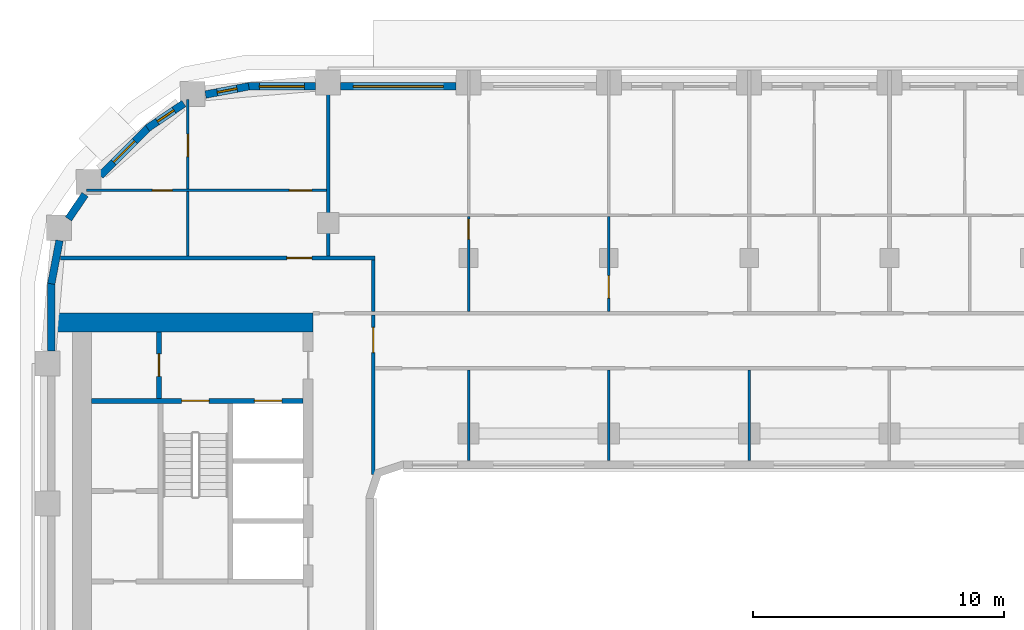
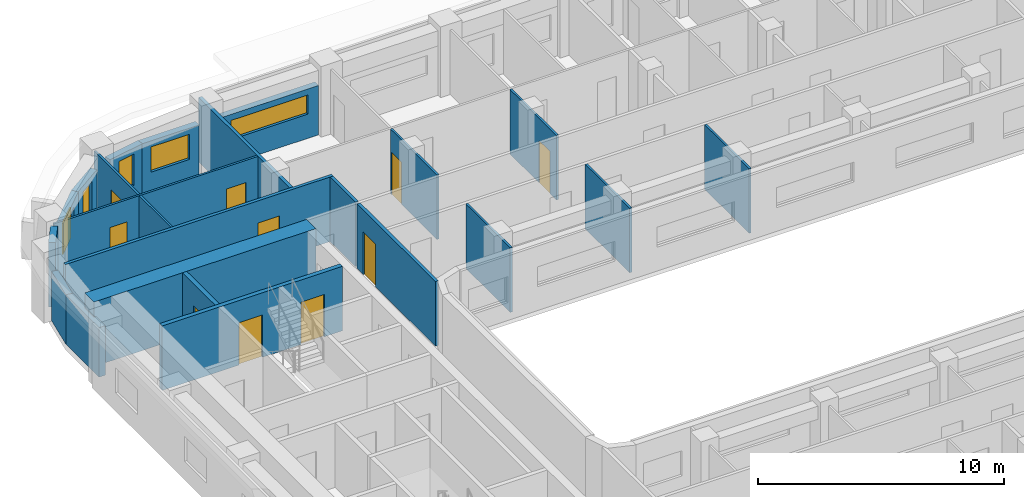
# One storey, part 7 of 22: 23 walls, 10 doors, 5 windows, 15 openings.
"""IFC4 building model written with IfcOpenShell, lengths in metres."""

from ifc_helpers import new_model, si_unit, direction, frame, frame_2d, origin, place, context, subcontext, project, spatial, rectangle, extrude, material, layer, layer_set, type_object, element, fill, save


model = new_model("IFC4")

# Units and contexts
model_context = context("Model", 3, precision=1e-05, world=origin(), true_north=direction((0.0, 1.0)))
body_context = subcontext(model_context, "Body", "Model", "MODEL_VIEW")
ifc_project = project(units=[si_unit("LENGTHUNIT", "METRE"), si_unit("AREAUNIT", "SQUARE_METRE"), si_unit("VOLUMEUNIT", "CUBIC_METRE"), si_unit("PLANEANGLEUNIT", "RADIAN"), si_unit("MASSUNIT", "GRAM", prefix="KILO")], contexts=[model_context])

# Site, building, storey
site_placement = place(None, origin())
site = spatial("IfcSite", under=ifc_project, at=site_placement, CompositionType="ELEMENT")
building_placement = place(site_placement, origin())
building = spatial("IfcBuilding", under=site, at=building_placement, Name="Kiln Ring Residences", CompositionType="ELEMENT")
storey_placement = place(building_placement, frame((0.0, 0.0, 164.10009765625)))
storey = spatial("IfcBuildingStorey", under=building, at=storey_placement, Name="L42", CompositionType="ELEMENT", Elevation=164.10009765625)

# Wall, opening, door
ifc_material_1 = material(Name="Gypsum board on steel studs", Category="steel")
ifc_layer_1 = layer(ifc_material_1, 0.199951171875)
ifc_layer_set_1 = layer_set([ifc_layer_1], Name="CORE-PARTITION-200")
wall_type_1 = type_object("IfcWallType", Name="CORE-PARTITION-200", PredefinedType="PARTITIONING", material=ifc_layer_set_1)
wall_1_placement = place(storey_placement, frame((-23.550048828125, 9.800048828125, 0.0), z_axis=(0.0, 0.0, 1.0), x_axis=(0.0, 1.0, 0.0)))
wall_1 = element("IfcWall", 1, at=wall_1_placement, inside=storey, type_object=wall_type_1, Name="Core partition west L42 4", PredefinedType="PARTITIONING", context=body_context, shape_type="SweptSolid", body=[
    extrude(rectangle(XDim=2.64990234375, YDim=0.199951171875, at=frame_2d((1.324951171875, 0.0))), origin(), (0.0, 0.0, 1.0), 3.199951171875),
])
opening_1_placement = place(wall_1_placement, frame((0.875, 0.0, 0.0)))
opening_1 = element("IfcOpeningElement", 2, at=opening_1_placement, cuts=wall_1, Name="Opening L42-CW09", PredefinedType="OPENING", context=body_context, shape_type="SweptSolid", body=[
    extrude(rectangle(XDim=0.89990234375, YDim=2.10009765625, at=frame_2d((0.449951171875, 1.050048828125))), frame((0.0, 0.10986328125, 0.0), z_axis=(0.0, -1.0, 0.0), x_axis=(1.0, 0.0, 0.0)), (0.0, 0.0, 1.0), 0.219970703125),
])
ifc_material_2 = material(Name="Steel door leaf", Category="steel")
door_type_1 = type_object("IfcDoorType", Name="CORE-DOOR-ROOM", OperationType="SINGLE_SWING_LEFT", PredefinedType="DOOR", material=ifc_material_2)
door_1_placement = place(opening_1_placement, origin())
door_1 = element("IfcDoor", 3, at=door_1_placement, inside=storey, type_object=door_type_1, Name="Fire riser room L42-CW09", OperationType="SINGLE_SWING_LEFT", OverallHeight=2.10009765625, OverallWidth=0.89990234375, PredefinedType="DOOR", context=body_context, shape_type="SweptSolid", body=[
    extrude(rectangle(XDim=0.89990234375, YDim=2.10009765625, at=frame_2d((0.449951171875, 1.050048828125))), frame((0.0, 0.02490234375, 0.0), z_axis=(0.0, -1.0, 0.0), x_axis=(1.0, 0.0, 0.0)), (0.0, 0.0, 1.0), 0.050048828125),
])
fill(opening_1, door_1)

# Wall, openings, doors
ifc_material_3 = material(Name="Concrete C40/50", Category="concrete")
ifc_layer_2 = layer(ifc_material_3, 0.199951171875)
ifc_layer_set_2 = layer_set([ifc_layer_2], Name="CORE-WALL-RC200")
wall_type_2 = type_object("IfcWallType", Name="CORE-WALL-RC200", PredefinedType="SHEAR", material=ifc_layer_set_2)
wall_2_placement = place(storey_placement, frame((-17.800048828125, 9.699951171875, 0.0), z_axis=(0.0, 0.0, 1.0), x_axis=(-1.0, 0.0, 0.0)))
wall_2 = element("IfcWall", 4, at=wall_2_placement, inside=storey, type_object=wall_type_2, Name="Core wall west L42 9", PredefinedType="SHEAR", context=body_context, shape_type="SweptSolid", body=[
    extrude(rectangle(XDim=8.449951171875, YDim=0.199951171875, at=frame_2d((4.22509765625, 0.0))), origin(), (0.0, 0.0, 1.0), 3.199951171875),
])
opening_2_placement = place(wall_2_placement, frame((0.85009765625, 0.0, 0.0)))
opening_2 = element("IfcOpeningElement", 5, at=opening_2_placement, cuts=wall_2, Name="Opening L42-CW06", PredefinedType="OPENING", context=body_context, shape_type="SweptSolid", body=[
    extrude(rectangle(XDim=1.10009765625, YDim=2.10009765625, at=frame_2d((0.550048828125, 1.050048828125))), frame((0.0, 0.10986328125, 0.0), z_axis=(0.0, -1.0, 0.0), x_axis=(1.0, 0.0, 0.0)), (0.0, 0.0, 1.0), 0.219970703125),
])
opening_3_placement = place(wall_2_placement, frame((3.75, 0.0, 0.0)))
opening_3 = element("IfcOpeningElement", 6, at=opening_3_placement, cuts=wall_2, Name="Opening L42-CW11", PredefinedType="OPENING", context=body_context, shape_type="SweptSolid", body=[
    extrude(rectangle(XDim=1.10009765625, YDim=2.10009765625, at=frame_2d((0.550048828125, 1.050048828125))), frame((0.0, 0.10986328125, 0.0), z_axis=(0.0, -1.0, 0.0), x_axis=(1.0, 0.0, 0.0)), (0.0, 0.0, 1.0), 0.219970703125),
])
ifc_material_4 = material(Name="Steel door leaf", Category="steel")
door_type_2 = type_object("IfcDoorType", Name="CORE-DOOR-LD", OperationType="DOUBLE_DOOR_SLIDING", PredefinedType="DOOR", material=ifc_material_4)
door_2_placement = place(opening_2_placement, origin())
door_2 = element("IfcDoor", 7, at=door_2_placement, inside=storey, type_object=door_type_2, Name="LD W-FF L42-CW06", OperationType="DOUBLE_DOOR_SLIDING", OverallHeight=2.10009765625, OverallWidth=1.10009765625, PredefinedType="DOOR", context=body_context, shape_type="SweptSolid", body=[
    extrude(rectangle(XDim=1.10009765625, YDim=2.10009765625, at=frame_2d((0.550048828125, 1.050048828125))), frame((0.0, 0.02490234375, 0.0), z_axis=(0.0, -1.0, 0.0), x_axis=(1.0, 0.0, 0.0)), (0.0, 0.0, 1.0), 0.050048828125),
])
fill(opening_2, door_2)
ifc_material_5 = material(Name="Steel door leaf", Category="steel")
door_type_3 = type_object("IfcDoorType", Name="CORE-DOOR-STAIR", OperationType="SINGLE_SWING_LEFT", PredefinedType="DOOR", material=ifc_material_5)
door_3_placement = place(opening_3_placement, origin())
door_3 = element("IfcDoor", 8, at=door_3_placement, inside=storey, type_object=door_type_3, Name="Stair W-STN L42-CW11", OperationType="SINGLE_SWING_LEFT", OverallHeight=2.10009765625, OverallWidth=1.10009765625, PredefinedType="DOOR", context=body_context, shape_type="SweptSolid", body=[
    extrude(rectangle(XDim=1.10009765625, YDim=2.10009765625, at=frame_2d((0.550048828125, 1.050048828125))), frame((0.0, 0.02490234375, 0.0), z_axis=(0.0, -1.0, 0.0), x_axis=(1.0, 0.0, 0.0)), (0.0, 0.0, 1.0), 0.050048828125),
])
fill(opening_3, door_3)

# Wall
ifc_material_6 = material(Name="Concrete C60/75", Category="concrete")
ifc_layer_3 = layer(ifc_material_6, 0.75)
ifc_layer_set_3 = layer_set([ifc_layer_3], Name="CORE-WALL-RC750")
wall_type_3 = type_object("IfcWallType", Name="CORE-WALL-RC750", PredefinedType="SHEAR", material=ifc_layer_set_3)
wall_3_placement = place(storey_placement, frame((-17.39990234375, 12.824951171875, 0.0), z_axis=(0.0, 0.0, 1.0), x_axis=(-1.0, 0.0, 0.0)))
element("IfcWall", 9, at=wall_3_placement, inside=storey, type_object=wall_type_3, Name="Core wall west L42 4", PredefinedType="SHEAR", context=body_context, shape_type="SweptSolid", body=[
    extrude(rectangle(XDim=10.400146484375, YDim=0.75, at=frame_2d((5.2001953125, 0.0))), origin(), (0.0, 0.0, 1.0), 3.199951171875),
])

# Wall, opening, window
ifc_material_7 = material(Name="Brick masonry, dark clay brick", Category="masonry")
ifc_layer_4 = layer(ifc_material_7, 0.300048828125)
ifc_layer_set_4 = layer_set([ifc_layer_4], Name="EW-300 BRICK WALL")
wall_type_4 = type_object("IfcWallType", Name="EW-300 BRICK WALL", PredefinedType="SOLIDWALL", material=ifc_layer_set_4)
wall_4_placement = place(storey_placement, frame((-11.699951171875, 22.25, 0.0), z_axis=(0.0, 0.0, 1.0), x_axis=(-1.0, 0.0, 0.0)))
wall_4 = element("IfcWall", 10, at=wall_4_placement, inside=storey, type_object=wall_type_4, Name="Facade wall L42 34", PredefinedType="SOLIDWALL", context=body_context, shape_type="SweptSolid", body=[
    extrude(rectangle(XDim=4.60009765625, YDim=0.300048828125, at=frame_2d((2.300048828125, 0.0))), origin(), (0.0, 0.0, 1.0), 2.449951171875),
])
opening_4_placement = place(wall_4_placement, frame((0.5, 0.0, 1.199951171875)))
opening_4 = element("IfcOpeningElement", 11, at=opening_4_placement, cuts=wall_4, Name="Opening W4", PredefinedType="OPENING", context=body_context, shape_type="SweptSolid", body=[
    extrude(rectangle(XDim=3.60009765625, YDim=0.949951171875, at=frame_2d((1.800048828125, 0.47509765625))), frame((0.0, 0.159912109375, 0.0), z_axis=(0.0, -1.0, 0.0), x_axis=(1.0, 0.0, 0.0)), (0.0, 0.0, 1.0), 0.320068359375),
])
ifc_material_8 = material(Name="Aluminium frame with double glazing", Category="aluminium")
window_type_1 = type_object("IfcWindowType", Name="WINDOW 3600 x 950", PartitioningType="SINGLE_PANEL", PredefinedType="WINDOW", material=ifc_material_8)
window_1_placement = place(opening_4_placement, origin())
window_1 = element("IfcWindow", 12, at=window_1_placement, inside=storey, type_object=window_type_1, Name="Window L42 27", OverallHeight=0.949951171875, OverallWidth=3.60009765625, PartitioningType="SINGLE_PANEL", PredefinedType="WINDOW", context=body_context, shape_type="SweptSolid", body=[
    extrude(rectangle(XDim=3.60009765625, YDim=0.949951171875, at=frame_2d((1.800048828125, 0.47509765625))), frame((0.0, 0.030029296875, 0.0), z_axis=(0.0, -1.0, 0.0), x_axis=(1.0, 0.0, 0.0)), (0.0, 0.0, 1.0), 0.06005859375),
])
fill(opening_4, window_1)

wall_5_placement = place(storey_placement, frame((-17.300048828125, 22.25, 0.0), z_axis=(0.0, 0.0, 1.0), x_axis=(-1.0, 0.0, 0.0)))
wall_5 = element("IfcWall", 13, at=wall_5_placement, inside=storey, type_object=wall_type_4, Name="Facade wall L42 35", PredefinedType="SOLIDWALL", context=body_context, shape_type="SweptSolid", body=[
    extrude(rectangle(XDim=2.699951171875, YDim=0.300048828125, at=frame_2d((1.35009765625, 0.0))), origin(), (0.0, 0.0, 1.0), 2.449951171875),
])
opening_5_placement = place(wall_5_placement, frame((0.449951171875, 0.0, 0.89990234375)))
opening_5 = element("IfcOpeningElement", 14, at=opening_5_placement, cuts=wall_5, Name="Opening W2", PredefinedType="OPENING", context=body_context, shape_type="SweptSolid", body=[
    extrude(rectangle(XDim=1.800048828125, YDim=1.25, at=frame_2d((0.89990234375, 0.625))), frame((0.0, 0.159912109375, 0.0), z_axis=(0.0, -1.0, 0.0), x_axis=(1.0, 0.0, 0.0)), (0.0, 0.0, 1.0), 0.320068359375),
])
ifc_material_9 = material(Name="Aluminium frame with double glazing", Category="aluminium")
window_type_2 = type_object("IfcWindowType", Name="WINDOW 1800 x 1250", PartitioningType="SINGLE_PANEL", PredefinedType="WINDOW", material=ifc_material_9)
window_2_placement = place(opening_5_placement, origin())
window_2 = element("IfcWindow", 15, at=window_2_placement, inside=storey, type_object=window_type_2, Name="Window L42 28", OverallHeight=1.25, OverallWidth=1.800048828125, PartitioningType="SINGLE_PANEL", PredefinedType="WINDOW", context=body_context, shape_type="SweptSolid", body=[
    extrude(rectangle(XDim=1.800048828125, YDim=1.25, at=frame_2d((0.89990234375, 0.625))), frame((0.0, 0.030029296875, 0.0), z_axis=(0.0, -1.0, 0.0), x_axis=(1.0, 0.0, 0.0)), (0.0, 0.0, 1.0), 0.06005859375),
])
fill(opening_5, window_2)

wall_6_placement = place(storey_placement, frame((-19.971923828125, 22.252685546875, 0.0), z_axis=(0.0, 0.0, 1.0), x_axis=(-0.982284988433, -0.187393173565, 0.0)))
wall_6 = element("IfcWall", 16, at=wall_6_placement, inside=storey, type_object=wall_type_4, Name="Facade wall L42 36", PredefinedType="SOLIDWALL", context=body_context, shape_type="SweptSolid", body=[
    extrude(rectangle(XDim=1.756103515625, YDim=0.300048828125, at=frame_2d((0.8779296875, 0.0))), origin(), (0.0, 0.0, 1.0), 2.449951171875),
])
opening_6_placement = place(wall_6_placement, frame((0.47802734375, 0.0, 0.60009765625)))
opening_6 = element("IfcOpeningElement", 17, at=opening_6_placement, cuts=wall_6, Name="Opening W5", PredefinedType="OPENING", context=body_context, shape_type="SweptSolid", body=[
    extrude(rectangle(XDim=0.800048828125, YDim=1.550048828125, at=frame_2d((0.39990234375, 0.77490234375))), frame((0.0, 0.159912109375, 0.0), z_axis=(0.0, -1.0, 0.0), x_axis=(1.0, 0.0, 0.0)), (0.0, 0.0, 1.0), 0.320068359375),
])
ifc_material_10 = material(Name="Aluminium frame with double glazing", Category="aluminium")
window_type_3 = type_object("IfcWindowType", Name="WINDOW 800 x 1550", PartitioningType="SINGLE_PANEL", PredefinedType="WINDOW", material=ifc_material_10)
window_3_placement = place(opening_6_placement, origin())
window_3 = element("IfcWindow", 18, at=window_3_placement, inside=storey, type_object=window_type_3, Name="Window L42 29", OverallHeight=1.550048828125, OverallWidth=0.800048828125, PartitioningType="SINGLE_PANEL", PredefinedType="WINDOW", context=body_context, shape_type="SweptSolid", body=[
    extrude(rectangle(XDim=0.800048828125, YDim=1.550048828125, at=frame_2d((0.39990234375, 0.77490234375))), frame((0.0, 0.030029296875, 0.0), z_axis=(0.0, -1.0, 0.0), x_axis=(1.0, 0.0, 0.0)), (0.0, 0.0, 1.0), 0.06005859375),
])
fill(opening_6, window_3)

wall_7_placement = place(storey_placement, frame((-22.560302734375, 21.56591796875, 0.0), z_axis=(0.0, 0.0, 1.0), x_axis=(-0.82707645233, -0.562089443061, 0.0)))
wall_7 = element("IfcWall", 19, at=wall_7_placement, inside=storey, type_object=wall_type_4, Name="Facade wall L42 37", PredefinedType="SOLIDWALL", context=body_context, shape_type="SweptSolid", body=[
    extrude(rectangle(XDim=1.756103515625, YDim=0.300048828125, at=frame_2d((0.8779296875, 0.0))), origin(), (0.0, 0.0, 1.0), 2.449951171875),
])
opening_7_placement = place(wall_7_placement, frame((0.47802734375, 0.0, 0.60009765625)))
opening_7 = element("IfcOpeningElement", 20, at=opening_7_placement, cuts=wall_7, Name="Opening W5", PredefinedType="OPENING", context=body_context, shape_type="SweptSolid", body=[
    extrude(rectangle(XDim=0.800048828125, YDim=1.550048828125, at=frame_2d((0.39990234375, 0.77490234375))), frame((0.0, 0.159912109375, 0.0), z_axis=(0.0, -1.0, 0.0), x_axis=(1.0, 0.0, 0.0)), (0.0, 0.0, 1.0), 0.320068359375),
])
window_4_placement = place(opening_7_placement, origin())
window_4 = element("IfcWindow", 21, at=window_4_placement, inside=storey, type_object=window_type_3, Name="Window L42 30", OverallHeight=1.550048828125, OverallWidth=0.800048828125, PartitioningType="SINGLE_PANEL", PredefinedType="WINDOW", context=body_context, shape_type="SweptSolid", body=[
    extrude(rectangle(XDim=0.800048828125, YDim=1.550048828125, at=frame_2d((0.39990234375, 0.77490234375))), frame((0.0, 0.030029296875, 0.0), z_axis=(0.0, -1.0, 0.0), x_axis=(1.0, 0.0, 0.0)), (0.0, 0.0, 1.0), 0.06005859375),
])
fill(opening_7, window_4)

wall_8_placement = place(storey_placement, frame((-23.990966796875, 20.596923828125, 0.0), z_axis=(0.0, 0.0, 1.0), x_axis=(-0.707106781187, -0.707106781187, 0.0)))
wall_8 = element("IfcWall", 22, at=wall_8_placement, inside=storey, type_object=wall_type_4, Name="Facade wall L42 38", PredefinedType="SOLIDWALL", context=body_context, shape_type="SweptSolid", body=[
    extrude(rectangle(XDim=2.699951171875, YDim=0.300048828125, at=frame_2d((1.35009765625, 0.0))), origin(), (0.0, 0.0, 1.0), 2.449951171875),
])
opening_8_placement = place(wall_8_placement, frame((0.75, 0.0, 0.60009765625)))
opening_8 = element("IfcOpeningElement", 23, at=opening_8_placement, cuts=wall_8, Name="Opening W1", PredefinedType="OPENING", context=body_context, shape_type="SweptSolid", body=[
    extrude(rectangle(XDim=1.199951171875, YDim=1.550048828125, at=frame_2d((0.60009765625, 0.77490234375))), frame((0.0, 0.159912109375, 0.0), z_axis=(0.0, -1.0, 0.0), x_axis=(1.0, 0.0, 0.0)), (0.0, 0.0, 1.0), 0.320068359375),
])
ifc_material_11 = material(Name="Aluminium frame with double glazing", Category="aluminium")
window_type_4 = type_object("IfcWindowType", Name="WINDOW 1200 x 1550", PartitioningType="SINGLE_PANEL", PredefinedType="WINDOW", material=ifc_material_11)
window_5_placement = place(opening_8_placement, origin())
window_5 = element("IfcWindow", 24, at=window_5_placement, inside=storey, type_object=window_type_4, Name="Window L42 31", OverallHeight=1.550048828125, OverallWidth=1.199951171875, PartitioningType="SINGLE_PANEL", PredefinedType="WINDOW", context=body_context, shape_type="SweptSolid", body=[
    extrude(rectangle(XDim=1.199951171875, YDim=1.550048828125, at=frame_2d((0.60009765625, 0.77490234375))), frame((0.0, 0.030029296875, 0.0), z_axis=(0.0, -1.0, 0.0), x_axis=(1.0, 0.0, 0.0)), (0.0, 0.0, 1.0), 0.06005859375),
])
fill(opening_8, window_5)

# Walls
wall_9_placement = place(storey_placement, frame((-26.50439453125, 17.933837890625, 0.0), z_axis=(0.0, 0.0, 1.0), x_axis=(-0.562145470373, -0.827038372833, 0.0)))
element("IfcWall", 25, at=wall_9_placement, inside=storey, type_object=wall_type_4, Name="Facade wall L42 39", PredefinedType="SOLIDWALL", context=body_context, shape_type="SweptSolid", body=[
    extrude(rectangle(XDim=1.177001953125, YDim=0.300048828125, at=frame_2d((0.58837890625, 0.0))), origin(), (0.0, 0.0, 1.0), 3.199951171875),
])
wall_10_placement = place(storey_placement, frame((-27.523681640625, 16.096923828125, 0.0), z_axis=(0.0, 0.0, 1.0), x_axis=(-0.187259034321, -0.982310569049, 0.0)))
element("IfcWall", 26, at=wall_10_placement, inside=storey, type_object=wall_type_4, Name="Facade wall L42 40", PredefinedType="SOLIDWALL", context=body_context, shape_type="SweptSolid", body=[
    extrude(rectangle(XDim=1.756103515625, YDim=0.300048828125, at=frame_2d((0.8779296875, 0.0))), origin(), (0.0, 0.0, 1.0), 2.449951171875),
])
wall_11_placement = place(storey_placement, frame((-27.85009765625, 14.39990234375, 0.0), z_axis=(0.0, 0.0, 1.0), x_axis=(0.0, -1.0, 0.0)))
element("IfcWall", 27, at=wall_11_placement, inside=storey, type_object=wall_type_4, Name="Facade wall L42 41", PredefinedType="SOLIDWALL", context=body_context, shape_type="SweptSolid", body=[
    extrude(rectangle(XDim=2.699951171875, YDim=0.300048828125, at=frame_2d((1.35009765625, 0.0))), origin(), (0.0, 0.0, 1.0), 2.449951171875),
])

# Wall, openings, doors
ifc_material_12 = material(Name="Gypsum board on steel studs", Category="steel")
ifc_layer_5 = layer(ifc_material_12, 0.10009765625)
ifc_layer_set_5 = layer_set([ifc_layer_5], Name="PARTITION-100")
wall_type_5 = type_object("IfcWallType", Name="PARTITION-100", PredefinedType="PARTITIONING", material=ifc_layer_set_5)
wall_12_placement = place(storey_placement, frame((-26.43994140625, 18.10009765625, 0.0), z_axis=(0.0, 0.0, 1.0), x_axis=(1.0, 0.0, 0.0)))
wall_12 = element("IfcWall", 28, at=wall_12_placement, inside=storey, type_object=wall_type_5, Name="Partition 012", PredefinedType="PARTITIONING", context=body_context, shape_type="SweptSolid", body=[
    extrude(rectangle(XDim=9.56494140625, YDim=0.10009765625, at=frame_2d((4.782470703125, 0.0))), origin(), (0.0, 0.0, 1.0), 3.199951171875),
])
opening_9_placement = place(wall_12_placement, frame((2.6259765625, 0.0, 0.0)))
opening_9 = element("IfcOpeningElement", 29, at=opening_9_placement, cuts=wall_12, Name="Opening L42-D038", PredefinedType="OPENING", context=body_context, shape_type="SweptSolid", body=[
    extrude(rectangle(XDim=0.800048828125, YDim=2.10009765625, at=frame_2d((0.39990234375, 1.050048828125))), frame((0.0, 0.06005859375, 0.0), z_axis=(0.0, -1.0, 0.0), x_axis=(1.0, 0.0, 0.0)), (0.0, 0.0, 1.0), 0.1201171875),
])
opening_10_placement = place(wall_12_placement, frame((8.090087890625, 0.0, 0.0)))
opening_10 = element("IfcOpeningElement", 30, at=opening_10_placement, cuts=wall_12, Name="Opening L42-D039", PredefinedType="OPENING", context=body_context, shape_type="SweptSolid", body=[
    extrude(rectangle(XDim=0.89990234375, YDim=2.10009765625, at=frame_2d((0.449951171875, 1.050048828125))), frame((0.0, 0.06005859375, 0.0), z_axis=(0.0, -1.0, 0.0), x_axis=(1.0, 0.0, 0.0)), (0.0, 0.0, 1.0), 0.1201171875),
])
ifc_material_13 = material(Name="Timber door leaf", Category="wood")
door_type_4 = type_object("IfcDoorType", Name="FLAT-DOOR-800-PL", OperationType="SINGLE_SWING_LEFT", PredefinedType="DOOR", material=ifc_material_13)
door_4_placement = place(opening_9_placement, origin())
door_4 = element("IfcDoor", 31, at=door_4_placement, inside=storey, type_object=door_type_4, Name="Door L42-D038", OperationType="SINGLE_SWING_RIGHT", OverallHeight=2.10009765625, OverallWidth=0.800048828125, PredefinedType="DOOR", context=body_context, shape_type="SweptSolid", body=[
    extrude(rectangle(XDim=0.800048828125, YDim=2.10009765625, at=frame_2d((0.39990234375, 1.050048828125))), frame((0.0, 0.02490234375, 0.0), z_axis=(0.0, -1.0, 0.0), x_axis=(1.0, 0.0, 0.0)), (0.0, 0.0, 1.0), 0.050048828125),
])
fill(opening_9, door_4)
ifc_material_14 = material(Name="Timber door leaf", Category="wood")
door_type_5 = type_object("IfcDoorType", Name="FLAT-DOOR-900-PL", OperationType="SINGLE_SWING_LEFT", PredefinedType="DOOR", material=ifc_material_14)
door_5_placement = place(opening_10_placement, origin())
door_5 = element("IfcDoor", 32, at=door_5_placement, inside=storey, type_object=door_type_5, Name="Door L42-D039", OperationType="SINGLE_SWING_LEFT", OverallHeight=2.10009765625, OverallWidth=0.89990234375, PredefinedType="DOOR", context=body_context, shape_type="SweptSolid", body=[
    extrude(rectangle(XDim=0.89990234375, YDim=2.10009765625, at=frame_2d((0.449951171875, 1.050048828125))), frame((0.0, 0.02490234375, 0.0), z_axis=(0.0, -1.0, 0.0), x_axis=(1.0, 0.0, 0.0)), (0.0, 0.0, 1.0), 0.050048828125),
])
fill(opening_10, door_5)

# Wall
wall_13_placement = place(storey_placement, frame((-22.39990234375, 15.47509765625, 0.0), z_axis=(0.0, 0.0, 1.0), x_axis=(0.0, 1.0, 0.0)))
element("IfcWall", 33, at=wall_13_placement, inside=storey, type_object=wall_type_5, Name="Partition 016", PredefinedType="PARTITIONING", context=body_context, shape_type="SweptSolid", body=[
    extrude(rectangle(XDim=2.574951171875, YDim=0.10009765625, at=frame_2d((1.28759765625, 0.0))), origin(), (0.0, 0.0, 1.0), 3.199951171875),
])

# Wall, opening, door
wall_14_placement = place(storey_placement, frame((-22.39990234375, 18.14990234375, 0.0), z_axis=(0.0, 0.0, 1.0), x_axis=(0.0, 1.0, 0.0)))
wall_14 = element("IfcWall", 34, at=wall_14_placement, inside=storey, type_object=wall_type_5, Name="Partition 017", PredefinedType="PARTITIONING", context=body_context, shape_type="SweptSolid", body=[
    extrude(rectangle(XDim=3.570068359375, YDim=0.10009765625, at=frame_2d((1.78515625, 0.0))), origin(), (0.0, 0.0, 1.0), 3.199951171875),
])
opening_11_placement = place(wall_14_placement, frame((1.298095703125, 0.0, 0.0)))
opening_11 = element("IfcOpeningElement", 35, at=opening_11_placement, cuts=wall_14, Name="Opening L42-D040", PredefinedType="OPENING", context=body_context, shape_type="SweptSolid", body=[
    extrude(rectangle(XDim=0.89990234375, YDim=2.10009765625, at=frame_2d((0.449951171875, 1.050048828125))), frame((0.0, 0.06005859375, 0.0), z_axis=(0.0, -1.0, 0.0), x_axis=(1.0, 0.0, 0.0)), (0.0, 0.0, 1.0), 0.1201171875),
])
door_6_placement = place(opening_11_placement, origin())
door_6 = element("IfcDoor", 36, at=door_6_placement, inside=storey, type_object=door_type_5, Name="Door L42-D040", OperationType="SINGLE_SWING_RIGHT", OverallHeight=2.10009765625, OverallWidth=0.89990234375, PredefinedType="DOOR", context=body_context, shape_type="SweptSolid", body=[
    extrude(rectangle(XDim=0.89990234375, YDim=2.10009765625, at=frame_2d((0.449951171875, 1.050048828125))), frame((0.0, 0.02490234375, 0.0), z_axis=(0.0, -1.0, 0.0), x_axis=(1.0, 0.0, 0.0)), (0.0, 0.0, 1.0), 0.050048828125),
])
fill(opening_11, door_6)

# Wall
wall_15_placement = place(storey_placement, frame((-11.199951171875, 7.320068359375, 0.0), z_axis=(0.0, 0.0, 1.0), x_axis=(0.0, 1.0, 0.0)))
element("IfcWall", 37, at=wall_15_placement, inside=storey, type_object=wall_type_5, Name="Partition 027", PredefinedType="PARTITIONING", context=body_context, shape_type="SweptSolid", body=[
    extrude(rectangle(XDim=3.60498046875, YDim=0.10009765625, at=frame_2d((1.802490234375, 0.0))), origin(), (0.0, 0.0, 1.0), 3.199951171875),
])

# Wall, opening, door
wall_16_placement = place(storey_placement, frame((-11.199951171875, 13.27490234375, 0.0), z_axis=(0.0, 0.0, 1.0), x_axis=(0.0, 1.0, 0.0)))
wall_16 = element("IfcWall", 38, at=wall_16_placement, inside=storey, type_object=wall_type_5, Name="Partition 028", PredefinedType="PARTITIONING", context=body_context, shape_type="SweptSolid", body=[
    extrude(rectangle(XDim=3.775146484375, YDim=0.10009765625, at=frame_2d((1.8876953125, 0.0))), origin(), (0.0, 0.0, 1.0), 3.199951171875),
])
opening_12_placement = place(wall_16_placement, frame((2.875, 0.0, 0.0)))
opening_12 = element("IfcOpeningElement", 39, at=opening_12_placement, cuts=wall_16, Name="Opening L42-D017", PredefinedType="OPENING", context=body_context, shape_type="SweptSolid", body=[
    extrude(rectangle(XDim=0.800048828125, YDim=2.10009765625, at=frame_2d((0.39990234375, 1.050048828125))), frame((0.0, 0.06005859375, 0.0), z_axis=(0.0, -1.0, 0.0), x_axis=(1.0, 0.0, 0.0)), (0.0, 0.0, 1.0), 0.1201171875),
])
door_7_placement = place(opening_12_placement, origin())
door_7 = element("IfcDoor", 40, at=door_7_placement, inside=storey, type_object=door_type_4, Name="Door L42-D017", OperationType="SINGLE_SWING_LEFT", OverallHeight=2.10009765625, OverallWidth=0.800048828125, PredefinedType="DOOR", context=body_context, shape_type="SweptSolid", body=[
    extrude(rectangle(XDim=0.800048828125, YDim=2.10009765625, at=frame_2d((0.39990234375, 1.050048828125))), frame((0.0, 0.02490234375, 0.0), z_axis=(0.0, -1.0, 0.0), x_axis=(1.0, 0.0, 0.0)), (0.0, 0.0, 1.0), 0.050048828125),
])
fill(opening_12, door_7)

# Wall
wall_17_placement = place(storey_placement, frame((-5.60009765625, 7.320068359375, 0.0), z_axis=(0.0, 0.0, 1.0), x_axis=(0.0, 1.0, 0.0)))
element("IfcWall", 41, at=wall_17_placement, inside=storey, type_object=wall_type_5, Name="Partition 034", PredefinedType="PARTITIONING", context=body_context, shape_type="SweptSolid", body=[
    extrude(rectangle(XDim=3.60498046875, YDim=0.10009765625, at=frame_2d((1.802490234375, 0.0))), origin(), (0.0, 0.0, 1.0), 3.199951171875),
])

# Wall, opening, door
wall_18_placement = place(storey_placement, frame((-5.60009765625, 13.27490234375, 0.0), z_axis=(0.0, 0.0, 1.0), x_axis=(0.0, 1.0, 0.0)))
wall_18 = element("IfcWall", 42, at=wall_18_placement, inside=storey, type_object=wall_type_5, Name="Partition 035", PredefinedType="PARTITIONING", context=body_context, shape_type="SweptSolid", body=[
    extrude(rectangle(XDim=3.775146484375, YDim=0.10009765625, at=frame_2d((1.8876953125, 0.0))), origin(), (0.0, 0.0, 1.0), 3.199951171875),
])
opening_13_placement = place(wall_18_placement, frame((0.52490234375, 0.0, 0.0)))
opening_13 = element("IfcOpeningElement", 43, at=opening_13_placement, cuts=wall_18, Name="Opening L42-D016", PredefinedType="OPENING", context=body_context, shape_type="SweptSolid", body=[
    extrude(rectangle(XDim=0.89990234375, YDim=2.10009765625, at=frame_2d((0.449951171875, 1.050048828125))), frame((0.0, 0.06005859375, 0.0), z_axis=(0.0, -1.0, 0.0), x_axis=(1.0, 0.0, 0.0)), (0.0, 0.0, 1.0), 0.1201171875),
])
door_8_placement = place(opening_13_placement, origin())
door_8 = element("IfcDoor", 44, at=door_8_placement, inside=storey, type_object=door_type_5, Name="Door L42-D016", OperationType="SINGLE_SWING_RIGHT", OverallHeight=2.10009765625, OverallWidth=0.89990234375, PredefinedType="DOOR", context=body_context, shape_type="SweptSolid", body=[
    extrude(rectangle(XDim=0.89990234375, YDim=2.10009765625, at=frame_2d((0.449951171875, 1.050048828125))), frame((0.0, 0.02490234375, 0.0), z_axis=(0.0, -1.0, 0.0), x_axis=(1.0, 0.0, 0.0)), (0.0, 0.0, 1.0), 0.050048828125),
])
fill(opening_13, door_8)

# Wall
wall_19_placement = place(storey_placement, frame((0.0, 7.320068359375, 0.0), z_axis=(0.0, 0.0, 1.0), x_axis=(0.0, 1.0, 0.0)))
element("IfcWall", 45, at=wall_19_placement, inside=storey, type_object=wall_type_5, Name="Partition 042", PredefinedType="PARTITIONING", context=body_context, shape_type="SweptSolid", body=[
    extrude(rectangle(XDim=3.60498046875, YDim=0.10009765625, at=frame_2d((1.802490234375, 0.0))), origin(), (0.0, 0.0, 1.0), 3.199951171875),
])

# Wall, opening, door
ifc_material_15 = material(Name="Brick masonry partition", Category="masonry")
ifc_layer_6 = layer(ifc_material_15, 0.14990234375)
ifc_layer_set_6 = layer_set([ifc_layer_6], Name="PARTITION-150-ei60")
wall_type_6 = type_object("IfcWallType", Name="PARTITION-150-ei60", PredefinedType="PARTITIONING", material=ifc_layer_set_6)
wall_20_placement = place(storey_placement, frame((-27.48388671875, 15.39990234375, 0.0), z_axis=(0.0, 0.0, 1.0), x_axis=(1.0, 0.0, 0.0)))
wall_20 = element("IfcWall", 46, at=wall_20_placement, inside=storey, type_object=wall_type_6, Name="Partition 009", PredefinedType="PARTITIONING", context=body_context, shape_type="SweptSolid", body=[
    extrude(rectangle(XDim=12.558837890625, YDim=0.14990234375, at=frame_2d((6.279296875, 0.0))), origin(), (0.0, 0.0, 1.0), 3.199951171875),
])
opening_14_placement = place(wall_20_placement, frame((9.03369140625, 0.0, 0.0)))
opening_14 = element("IfcOpeningElement", 47, at=opening_14_placement, cuts=wall_20, Name="Opening L42-D037", PredefinedType="OPENING", context=body_context, shape_type="SweptSolid", body=[
    extrude(rectangle(XDim=1.0, YDim=2.10009765625, at=frame_2d((0.5, 1.050048828125))), frame((0.0, 0.0849609375, 0.0), z_axis=(0.0, -1.0, 0.0), x_axis=(1.0, 0.0, 0.0)), (0.0, 0.0, 1.0), 0.169921875),
])
ifc_material_16 = material(Name="Steel faced fire door leaf", Category="steel")
door_type_6 = type_object("IfcDoorType", Name="FLAT-DOOR-1000-FR", OperationType="SINGLE_SWING_LEFT", PredefinedType="DOOR", material=ifc_material_16)
door_9_placement = place(opening_14_placement, origin())
door_9 = element("IfcDoor", 48, at=door_9_placement, inside=storey, type_object=door_type_6, Name="Door L42-D037", OperationType="SINGLE_SWING_LEFT", OverallHeight=2.10009765625, OverallWidth=1.0, PredefinedType="DOOR", context=body_context, shape_type="SweptSolid", body=[
    extrude(rectangle(XDim=1.0, YDim=2.10009765625, at=frame_2d((0.5, 1.050048828125))), frame((0.0, 0.02490234375, 0.0), z_axis=(0.0, -1.0, 0.0), x_axis=(1.0, 0.0, 0.0)), (0.0, 0.0, 1.0), 0.050048828125),
])
fill(opening_14, door_9)

# Wall
wall_21_placement = place(storey_placement, frame((-16.800048828125, 15.47509765625, 0.0), z_axis=(0.0, 0.0, 1.0), x_axis=(0.0, 1.0, 0.0)))
element("IfcWall", 49, at=wall_21_placement, inside=storey, type_object=wall_type_6, Name="Partition 019", PredefinedType="PARTITIONING", context=body_context, shape_type="SweptSolid", body=[
    extrude(rectangle(XDim=7.40478515625, YDim=0.14990234375, at=frame_2d((3.702392578125, 0.0))), origin(), (0.0, 0.0, 1.0), 3.199951171875),
])

# Wall, opening, door
wall_22_placement = place(storey_placement, frame((-15.0, 6.768798828125, 0.0), z_axis=(0.0, 0.0, 1.0), x_axis=(0.0, 1.0, 0.0)))
wall_22 = element("IfcWall", 50, at=wall_22_placement, inside=storey, type_object=wall_type_6, Name="Partition 022", PredefinedType="PARTITIONING", context=body_context, shape_type="SweptSolid", body=[
    extrude(rectangle(XDim=6.356201171875, YDim=0.14990234375, at=frame_2d((3.17822265625, 0.0))), origin(), (0.0, 0.0, 1.0), 3.199951171875),
])
opening_15_placement = place(wall_22_placement, frame((4.860107421875, 0.0, 0.0)))
opening_15 = element("IfcOpeningElement", 51, at=opening_15_placement, cuts=wall_22, Name="Opening L42-D001", PredefinedType="OPENING", context=body_context, shape_type="SweptSolid", body=[
    extrude(rectangle(XDim=1.0, YDim=2.10009765625, at=frame_2d((0.5, 1.050048828125))), frame((0.0, 0.0849609375, 0.0), z_axis=(0.0, -1.0, 0.0), x_axis=(1.0, 0.0, 0.0)), (0.0, 0.0, 1.0), 0.169921875),
])
door_10_placement = place(opening_15_placement, origin())
door_10 = element("IfcDoor", 52, at=door_10_placement, inside=storey, type_object=door_type_6, Name="Door L42-D001", OperationType="SINGLE_SWING_RIGHT", OverallHeight=2.10009765625, OverallWidth=1.0, PredefinedType="DOOR", context=body_context, shape_type="SweptSolid", body=[
    extrude(rectangle(XDim=1.0, YDim=2.10009765625, at=frame_2d((0.5, 1.050048828125))), frame((0.0, 0.02490234375, 0.0), z_axis=(0.0, -1.0, 0.0), x_axis=(1.0, 0.0, 0.0)), (0.0, 0.0, 1.0), 0.050048828125),
])
fill(opening_15, door_10)

# Wall
wall_23_placement = place(storey_placement, frame((-15.0, 13.27490234375, 0.0), z_axis=(0.0, 0.0, 1.0), x_axis=(0.0, 1.0, 0.0)))
element("IfcWall", 53, at=wall_23_placement, inside=storey, type_object=wall_type_6, Name="Partition 023", PredefinedType="PARTITIONING", context=body_context, shape_type="SweptSolid", body=[
    extrude(rectangle(XDim=2.050048828125, YDim=0.14990234375, at=frame_2d((1.02490234375, 0.0))), origin(), (0.0, 0.0, 1.0), 3.199951171875),
])

save(model, "model.ifc")
